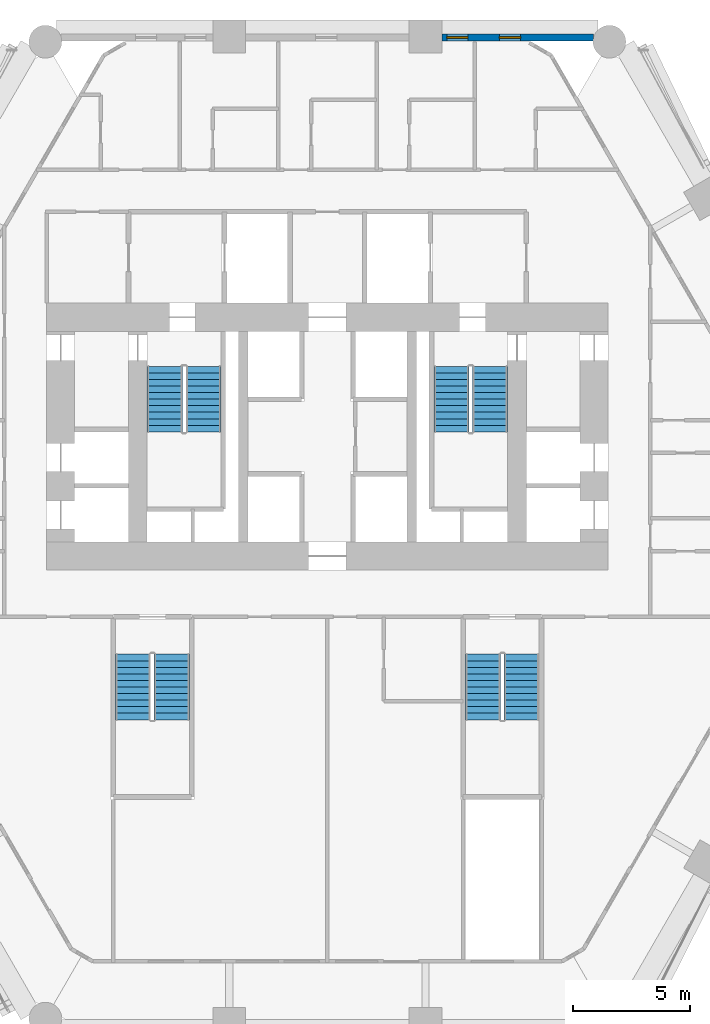
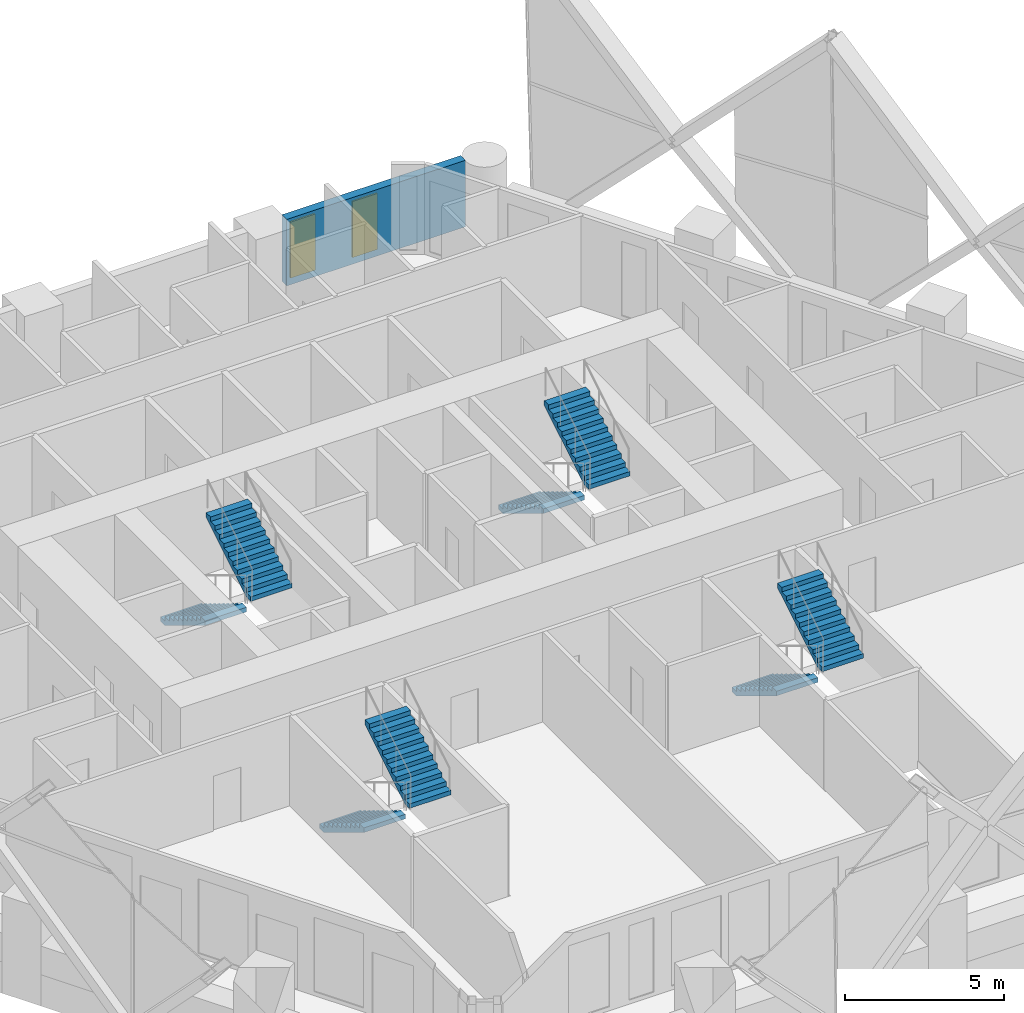
# One storey, part 16 of 22: 8 stair flights, 2 windows, 1 wall, 2 openings, 4 elements without a shape of their own.
"""IFC4 building model written with IfcOpenShell, lengths in metres."""

from ifc_helpers import new_model, si_unit, direction, frame, frame_2d, origin, place, context, subcontext, project, spatial, polyline, rectangle, outline, extrude, material, layer, layer_set, type_object, element, fill, aggregate, save


model = new_model("IFC4")

# Units and contexts
model_context = context("Model", 3, precision=1e-05, world=origin(), true_north=direction((0.0, 1.0)))
body_context = subcontext(model_context, "Body", "Model", "MODEL_VIEW")
ifc_project = project(units=[si_unit("LENGTHUNIT", "METRE"), si_unit("AREAUNIT", "SQUARE_METRE"), si_unit("VOLUMEUNIT", "CUBIC_METRE"), si_unit("PLANEANGLEUNIT", "RADIAN"), si_unit("MASSUNIT", "GRAM", prefix="KILO")], contexts=[model_context])

# Site, building, storey
site_placement = place(None, origin())
site = spatial("IfcSite", under=ifc_project, at=site_placement, CompositionType="ELEMENT")
building_placement = place(site_placement, origin())
building = spatial("IfcBuilding", under=site, at=building_placement, Name="Ostrander Bayou Hotel Tower", CompositionType="ELEMENT")
storey_placement = place(building_placement, frame((0.0, 0.0, 35.5)))
storey = spatial("IfcBuildingStorey", under=building, at=storey_placement, Name="L08", CompositionType="ELEMENT", Elevation=35.5)

# Wall, openings, windows
ifc_material_1 = material(Name="Reconstituted stone on masonry backing", Category="masonry")
ifc_layer = layer(ifc_material_1, 0.300048828125)
ifc_layer_set = layer_set([ifc_layer], Name="NW1 north stone wall 300 mm")
wall_type = type_object("IfcWallType", Name="NW1 north stone wall 300 mm", PredefinedType="SOLIDWALL", material=ifc_layer_set)
wall_placement = place(storey_placement, frame((11.376708984375, 21.050048828125, 0.0), z_axis=(0.0, 0.0, 1.0), x_axis=(-1.0, 0.0, 0.0)))
wall = element("IfcWall", 1, at=wall_placement, inside=storey, type_object=wall_type, Name="NW1 L08 N-1", PredefinedType="SOLIDWALL", context=body_context, shape_type="SweptSolid", body=[
    extrude(rectangle(XDim=6.481201171875, YDim=0.300048828125, at=frame_2d((3.24072265625, 0.0))), origin(), (0.0, 0.0, 1.0), 2.550048828125),
])
opening_1_placement = place(wall_placement, frame((3.123779296875, 0.0, 0.14990234375)))
opening_1 = element("IfcOpeningElement", 2, at=opening_1_placement, cuts=wall, Name="Opening W15", PredefinedType="OPENING", context=body_context, shape_type="SweptSolid", body=[
    extrude(rectangle(XDim=0.89990234375, YDim=2.14990234375, at=frame_2d((0.449951171875, 1.074951171875))), frame((0.0, 0.14990234375, 0.0), z_axis=(0.0, -1.0, 0.0), x_axis=(1.0, 0.0, 0.0)), (0.0, 0.0, 1.0), 0.300048828125),
])
opening_2_placement = place(wall_placement, frame((5.376708984375, 0.0, 0.14990234375)))
opening_2 = element("IfcOpeningElement", 3, at=opening_2_placement, cuts=wall, Name="Opening W15", PredefinedType="OPENING", context=body_context, shape_type="SweptSolid", body=[
    extrude(rectangle(XDim=0.89990234375, YDim=2.14990234375, at=frame_2d((0.449951171875, 1.074951171875))), frame((0.0, 0.14990234375, 0.0), z_axis=(0.0, -1.0, 0.0), x_axis=(1.0, 0.0, 0.0)), (0.0, 0.0, 1.0), 0.300048828125),
])
ifc_material_2 = material(Name="Aluminium and clear glass", Category="aluminium")
window_type = type_object("IfcWindowType", Name="W15 window 900 mm, zone 1", PartitioningType="SINGLE_PANEL", PredefinedType="WINDOW", material=ifc_material_2)
window_1_placement = place(opening_1_placement, origin())
window_1 = element("IfcWindow", 4, at=window_1_placement, inside=storey, type_object=window_type, Name="W15 L08 north N-1", OverallHeight=2.14990234375, OverallWidth=0.89990234375, PartitioningType="SINGLE_PANEL", PredefinedType="WINDOW", context=body_context, shape_type="SweptSolid", body=[
    extrude(rectangle(XDim=0.89990234375, YDim=2.14990234375, at=frame_2d((0.449951171875, 1.074951171875))), frame((0.0, 0.030029296875, 0.0), z_axis=(0.0, -1.0, 0.0), x_axis=(1.0, 0.0, 0.0)), (0.0, 0.0, 1.0), 0.06005859375),
])
fill(opening_1, window_1)
window_2_placement = place(opening_2_placement, origin())
window_2 = element("IfcWindow", 5, at=window_2_placement, inside=storey, type_object=window_type, Name="W15 L08 north N-1-2", OverallHeight=2.14990234375, OverallWidth=0.89990234375, PartitioningType="SINGLE_PANEL", PredefinedType="WINDOW", context=body_context, shape_type="SweptSolid", body=[
    extrude(rectangle(XDim=0.89990234375, YDim=2.14990234375, at=frame_2d((0.449951171875, 1.074951171875))), frame((0.0, 0.030029296875, 0.0), z_axis=(0.0, -1.0, 0.0), x_axis=(1.0, 0.0, 0.0)), (0.0, 0.0, 1.0), 0.06005859375),
])
fill(opening_2, window_2)

# Stair, stair flights
ifc_material_3 = material(Name="Concrete f'c 45 MPa", Category="concrete")
stair_type = type_object("IfcStairType", Name="ST1 exit stair 1500 mm f'c 45 MPa", PredefinedType="HALF_TURN_STAIR", material=ifc_material_3)
stair_1_placement = place(storey_placement, origin())
stair_1 = element("IfcStair", 6, at=stair_1_placement, inside=storey, type_object=stair_type, Name="L08 exit stair A", PredefinedType="HALF_TURN_STAIR")
ifc_material_4 = material(Name="Concrete f'c 45 MPa", Category="concrete")
stair_flight_type = type_object("IfcStairFlightType", Name="SF1 stair flight 1500 mm f'c 45 MPa", PredefinedType="STRAIGHT", material=ifc_material_4)
stair_flight_1_placement = place(storey_placement, frame((-6.949951171875, 7.0, 0.0), z_axis=(0.0, 0.0, 1.0), x_axis=(0.0, -1.0, 0.0)))
stair_flight_1 = element("IfcStairFlight", 7, at=stair_flight_1_placement, type_object=stair_flight_type, Name="STA flight 1", NumberOfRisers=11, NumberOfTreads=10, PredefinedType="STRAIGHT", RiserHeight=0.170454545, TreadLength=0.28, context=body_context, shape_type="SweptSolid", body=[
    extrude(outline(polyline([(0.0, 0.0), (0.0, 0.17041015625), (0.280029296875, 0.17041015625), (0.280029296875, 0.3408203125), (0.56005859375, 0.3408203125), (0.56005859375, 0.511474609375), (0.840087890625, 0.511474609375), (0.840087890625, 0.681884765625), (1.1201171875, 0.681884765625), (1.1201171875, 0.852294921875), (1.39990234375, 0.852294921875), (1.39990234375, 1.022705078125), (1.679931640625, 1.022705078125), (1.679931640625, 1.193115234375), (1.9599609375, 1.193115234375), (1.9599609375, 1.363525390625), (2.239990234375, 1.363525390625), (2.239990234375, 1.5341796875), (2.52001953125, 1.5341796875), (2.52001953125, 1.70458984375), (2.800048828125, 1.70458984375), (2.800048828125, 1.875), (2.800048828125, 1.529052734375), (0.288330078125, 0.0), (0.0, 0.0)])), frame((0.0, 0.75, 0.0), z_axis=(0.0, -1.0, 0.0), x_axis=(1.0, 0.0, 0.0)), (0.0, 0.0, 1.0), 1.5),
])
stair_flight_2_placement = place(storey_placement, frame((-5.300048828125, 4.199951171875, 1.875), z_axis=(0.0, 0.0, 1.0), x_axis=(0.0, 1.0, 0.0)))
stair_flight_2 = element("IfcStairFlight", 8, at=stair_flight_2_placement, type_object=stair_flight_type, Name="STA flight 2", NumberOfRisers=11, NumberOfTreads=10, PredefinedType="STRAIGHT", RiserHeight=0.170454545, TreadLength=0.28, context=body_context, shape_type="SweptSolid", body=[
    extrude(outline(polyline([(0.0, 0.0), (0.0, 0.17041015625), (0.280029296875, 0.17041015625), (0.280029296875, 0.3408203125), (0.56005859375, 0.3408203125), (0.56005859375, 0.511474609375), (0.840087890625, 0.511474609375), (0.840087890625, 0.681884765625), (1.1201171875, 0.681884765625), (1.1201171875, 0.852294921875), (1.39990234375, 0.852294921875), (1.39990234375, 1.022705078125), (1.679931640625, 1.022705078125), (1.679931640625, 1.193115234375), (1.9599609375, 1.193115234375), (1.9599609375, 1.363525390625), (2.239990234375, 1.363525390625), (2.239990234375, 1.5341796875), (2.52001953125, 1.5341796875), (2.52001953125, 1.70458984375), (2.800048828125, 1.70458984375), (2.800048828125, 1.875), (2.800048828125, 1.529052734375), (0.288330078125, 0.0), (0.0, 0.0)])), frame((0.0, 0.75, 0.0), z_axis=(0.0, -1.0, 0.0), x_axis=(1.0, 0.0, 0.0)), (0.0, 0.0, 1.0), 1.5),
])
aggregate(stair_1, [stair_flight_1, stair_flight_2])

stair_2_placement = place(storey_placement, origin())
stair_2 = element("IfcStair", 9, at=stair_2_placement, inside=storey, type_object=stair_type, Name="L08 exit stair B", PredefinedType="HALF_TURN_STAIR")
stair_flight_3_placement = place(storey_placement, frame((5.300048828125, 7.0, 0.0), z_axis=(0.0, 0.0, 1.0), x_axis=(0.0, -1.0, 0.0)))
stair_flight_3 = element("IfcStairFlight", 10, at=stair_flight_3_placement, type_object=stair_flight_type, Name="STB flight 1", NumberOfRisers=11, NumberOfTreads=10, PredefinedType="STRAIGHT", RiserHeight=0.170454545, TreadLength=0.28, context=body_context, shape_type="SweptSolid", body=[
    extrude(outline(polyline([(0.0, 0.0), (0.0, 0.17041015625), (0.280029296875, 0.17041015625), (0.280029296875, 0.3408203125), (0.56005859375, 0.3408203125), (0.56005859375, 0.511474609375), (0.840087890625, 0.511474609375), (0.840087890625, 0.681884765625), (1.1201171875, 0.681884765625), (1.1201171875, 0.852294921875), (1.39990234375, 0.852294921875), (1.39990234375, 1.022705078125), (1.679931640625, 1.022705078125), (1.679931640625, 1.193115234375), (1.9599609375, 1.193115234375), (1.9599609375, 1.363525390625), (2.239990234375, 1.363525390625), (2.239990234375, 1.5341796875), (2.52001953125, 1.5341796875), (2.52001953125, 1.70458984375), (2.800048828125, 1.70458984375), (2.800048828125, 1.875), (2.800048828125, 1.529052734375), (0.288330078125, 0.0), (0.0, 0.0)])), frame((0.0, 0.75, 0.0), z_axis=(0.0, -1.0, 0.0), x_axis=(1.0, 0.0, 0.0)), (0.0, 0.0, 1.0), 1.5),
])
stair_flight_4_placement = place(storey_placement, frame((6.949951171875, 4.199951171875, 1.875), z_axis=(0.0, 0.0, 1.0), x_axis=(0.0, 1.0, 0.0)))
stair_flight_4 = element("IfcStairFlight", 11, at=stair_flight_4_placement, type_object=stair_flight_type, Name="STB flight 2", NumberOfRisers=11, NumberOfTreads=10, PredefinedType="STRAIGHT", RiserHeight=0.170454545, TreadLength=0.28, context=body_context, shape_type="SweptSolid", body=[
    extrude(outline(polyline([(0.0, 0.0), (0.0, 0.17041015625), (0.280029296875, 0.17041015625), (0.280029296875, 0.3408203125), (0.56005859375, 0.3408203125), (0.56005859375, 0.511474609375), (0.840087890625, 0.511474609375), (0.840087890625, 0.681884765625), (1.1201171875, 0.681884765625), (1.1201171875, 0.852294921875), (1.39990234375, 0.852294921875), (1.39990234375, 1.022705078125), (1.679931640625, 1.022705078125), (1.679931640625, 1.193115234375), (1.9599609375, 1.193115234375), (1.9599609375, 1.363525390625), (2.239990234375, 1.363525390625), (2.239990234375, 1.5341796875), (2.52001953125, 1.5341796875), (2.52001953125, 1.70458984375), (2.800048828125, 1.70458984375), (2.800048828125, 1.875), (2.800048828125, 1.529052734375), (0.288330078125, 0.0), (0.0, 0.0)])), frame((0.0, 0.75, 0.0), z_axis=(0.0, -1.0, 0.0), x_axis=(1.0, 0.0, 0.0)), (0.0, 0.0, 1.0), 1.5),
])
aggregate(stair_2, [stair_flight_3, stair_flight_4])

stair_3_placement = place(storey_placement, origin())
stair_3 = element("IfcStair", 12, at=stair_3_placement, inside=storey, type_object=stair_type, Name="L08 exit stair C", PredefinedType="HALF_TURN_STAIR")
stair_flight_5_placement = place(storey_placement, frame((6.64990234375, -5.300048828125, 0.0), z_axis=(0.0, 0.0, 1.0), x_axis=(0.0, -1.0, 0.0)))
stair_flight_5 = element("IfcStairFlight", 13, at=stair_flight_5_placement, type_object=stair_flight_type, Name="STC flight 1", NumberOfRisers=11, NumberOfTreads=10, PredefinedType="STRAIGHT", RiserHeight=0.170454545, TreadLength=0.28, context=body_context, shape_type="SweptSolid", body=[
    extrude(outline(polyline([(0.0, 0.0), (0.0, 0.17041015625), (0.280029296875, 0.17041015625), (0.280029296875, 0.3408203125), (0.56005859375, 0.3408203125), (0.56005859375, 0.511474609375), (0.840087890625, 0.511474609375), (0.840087890625, 0.681884765625), (1.1201171875, 0.681884765625), (1.1201171875, 0.852294921875), (1.39990234375, 0.852294921875), (1.39990234375, 1.022705078125), (1.679931640625, 1.022705078125), (1.679931640625, 1.193115234375), (1.9599609375, 1.193115234375), (1.9599609375, 1.363525390625), (2.239990234375, 1.363525390625), (2.239990234375, 1.5341796875), (2.52001953125, 1.5341796875), (2.52001953125, 1.70458984375), (2.800048828125, 1.70458984375), (2.800048828125, 1.875), (2.800048828125, 1.529052734375), (0.288330078125, 0.0), (0.0, 0.0)])), frame((0.0, 0.75, 0.0), z_axis=(0.0, -1.0, 0.0), x_axis=(1.0, 0.0, 0.0)), (0.0, 0.0, 1.0), 1.5),
])
stair_flight_6_placement = place(storey_placement, frame((8.300048828125, -8.10009765625, 1.875), z_axis=(0.0, 0.0, 1.0), x_axis=(0.0, 1.0, 0.0)))
stair_flight_6 = element("IfcStairFlight", 14, at=stair_flight_6_placement, type_object=stair_flight_type, Name="STC flight 2", NumberOfRisers=11, NumberOfTreads=10, PredefinedType="STRAIGHT", RiserHeight=0.170454545, TreadLength=0.28, context=body_context, shape_type="SweptSolid", body=[
    extrude(outline(polyline([(0.0, 0.0), (0.0, 0.17041015625), (0.280029296875, 0.17041015625), (0.280029296875, 0.3408203125), (0.56005859375, 0.3408203125), (0.56005859375, 0.511474609375), (0.840087890625, 0.511474609375), (0.840087890625, 0.681884765625), (1.1201171875, 0.681884765625), (1.1201171875, 0.852294921875), (1.39990234375, 0.852294921875), (1.39990234375, 1.022705078125), (1.679931640625, 1.022705078125), (1.679931640625, 1.193115234375), (1.9599609375, 1.193115234375), (1.9599609375, 1.363525390625), (2.239990234375, 1.363525390625), (2.239990234375, 1.5341796875), (2.52001953125, 1.5341796875), (2.52001953125, 1.70458984375), (2.800048828125, 1.70458984375), (2.800048828125, 1.875), (2.800048828125, 1.529052734375), (0.288330078125, 0.0), (0.0, 0.0)])), frame((0.0, 0.75, 0.0), z_axis=(0.0, -1.0, 0.0), x_axis=(1.0, 0.0, 0.0)), (0.0, 0.0, 1.0), 1.5),
])
aggregate(stair_3, [stair_flight_5, stair_flight_6])

stair_4_placement = place(storey_placement, origin())
stair_4 = element("IfcStair", 15, at=stair_4_placement, inside=storey, type_object=stair_type, Name="L08 exit stair D", PredefinedType="HALF_TURN_STAIR")
stair_flight_7_placement = place(storey_placement, frame((-8.300048828125, -5.300048828125, 0.0), z_axis=(0.0, 0.0, 1.0), x_axis=(0.0, -1.0, 0.0)))
stair_flight_7 = element("IfcStairFlight", 16, at=stair_flight_7_placement, type_object=stair_flight_type, Name="STD flight 1", NumberOfRisers=11, NumberOfTreads=10, PredefinedType="STRAIGHT", RiserHeight=0.170454545, TreadLength=0.28, context=body_context, shape_type="SweptSolid", body=[
    extrude(outline(polyline([(0.0, 0.0), (0.0, 0.17041015625), (0.280029296875, 0.17041015625), (0.280029296875, 0.3408203125), (0.56005859375, 0.3408203125), (0.56005859375, 0.511474609375), (0.840087890625, 0.511474609375), (0.840087890625, 0.681884765625), (1.1201171875, 0.681884765625), (1.1201171875, 0.852294921875), (1.39990234375, 0.852294921875), (1.39990234375, 1.022705078125), (1.679931640625, 1.022705078125), (1.679931640625, 1.193115234375), (1.9599609375, 1.193115234375), (1.9599609375, 1.363525390625), (2.239990234375, 1.363525390625), (2.239990234375, 1.5341796875), (2.52001953125, 1.5341796875), (2.52001953125, 1.70458984375), (2.800048828125, 1.70458984375), (2.800048828125, 1.875), (2.800048828125, 1.529052734375), (0.288330078125, 0.0), (0.0, 0.0)])), frame((0.0, 0.75, 0.0), z_axis=(0.0, -1.0, 0.0), x_axis=(1.0, 0.0, 0.0)), (0.0, 0.0, 1.0), 1.5),
])
stair_flight_8_placement = place(storey_placement, frame((-6.64990234375, -8.10009765625, 1.875), z_axis=(0.0, 0.0, 1.0), x_axis=(0.0, 1.0, 0.0)))
stair_flight_8 = element("IfcStairFlight", 17, at=stair_flight_8_placement, type_object=stair_flight_type, Name="STD flight 2", NumberOfRisers=11, NumberOfTreads=10, PredefinedType="STRAIGHT", RiserHeight=0.170454545, TreadLength=0.28, context=body_context, shape_type="SweptSolid", body=[
    extrude(outline(polyline([(0.0, 0.0), (0.0, 0.17041015625), (0.280029296875, 0.17041015625), (0.280029296875, 0.3408203125), (0.56005859375, 0.3408203125), (0.56005859375, 0.511474609375), (0.840087890625, 0.511474609375), (0.840087890625, 0.681884765625), (1.1201171875, 0.681884765625), (1.1201171875, 0.852294921875), (1.39990234375, 0.852294921875), (1.39990234375, 1.022705078125), (1.679931640625, 1.022705078125), (1.679931640625, 1.193115234375), (1.9599609375, 1.193115234375), (1.9599609375, 1.363525390625), (2.239990234375, 1.363525390625), (2.239990234375, 1.5341796875), (2.52001953125, 1.5341796875), (2.52001953125, 1.70458984375), (2.800048828125, 1.70458984375), (2.800048828125, 1.875), (2.800048828125, 1.529052734375), (0.288330078125, 0.0), (0.0, 0.0)])), frame((0.0, 0.75, 0.0), z_axis=(0.0, -1.0, 0.0), x_axis=(1.0, 0.0, 0.0)), (0.0, 0.0, 1.0), 1.5),
])
aggregate(stair_4, [stair_flight_7, stair_flight_8])

save(model, "model.ifc")
